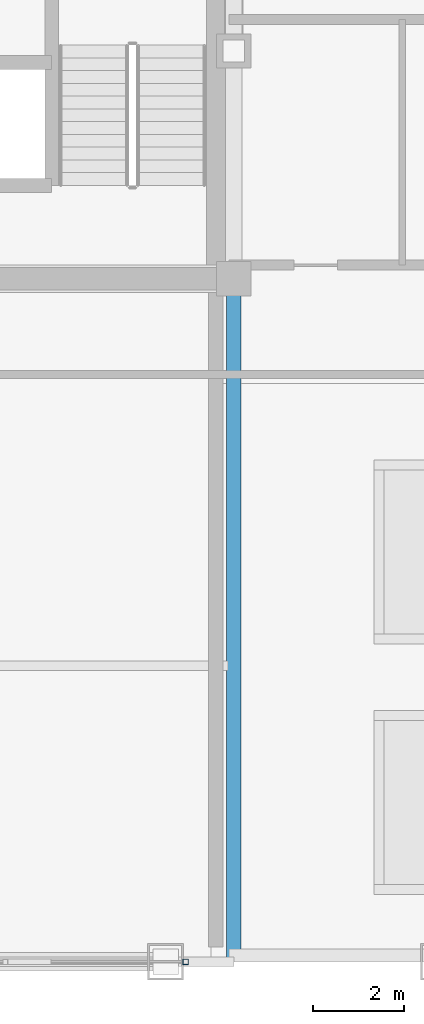
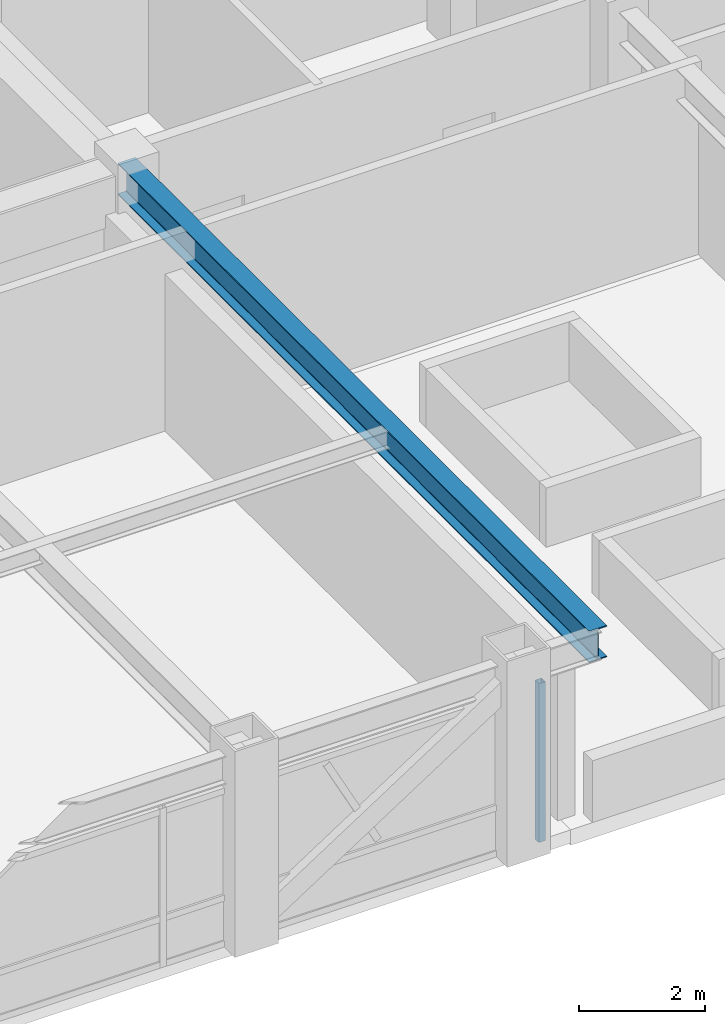
# One storey, part 4 of 29: 1 beam, 1 member, 1 element without a shape of its own.
"""IFC4 building model written with IfcOpenShell, lengths in metres."""

from ifc_helpers import new_model, si_unit, direction, frame, origin, origin_2d, place, context, subcontext, project, spatial, hollow_rectangle, i_section, extrude, source, transform, mapped, material, material_profile, profile_set, type_object, element, aggregate, save


model = new_model("IFC4")

# Units and contexts
model_context = context("Model", 3, precision=1e-05, world=origin(), true_north=direction((0.0, 1.0)))
body_context = subcontext(model_context, "Body", "Model", "MODEL_VIEW")
ifc_project = project(units=[si_unit("LENGTHUNIT", "METRE"), si_unit("AREAUNIT", "SQUARE_METRE"), si_unit("VOLUMEUNIT", "CUBIC_METRE"), si_unit("PLANEANGLEUNIT", "RADIAN"), si_unit("MASSUNIT", "GRAM", prefix="KILO")], contexts=[model_context])

# Site, building, storey
site_placement = place(None, origin())
site = spatial("IfcSite", under=ifc_project, at=site_placement, CompositionType="ELEMENT")
building_placement = place(site_placement, origin())
building = spatial("IfcBuilding", under=site, at=building_placement, Name="Khorayat Bourse Tower", CompositionType="ELEMENT")
storey_placement = place(building_placement, frame((0.0, 0.0, 346.300048828125)))
storey = spatial("IfcBuildingStorey", under=building, at=storey_placement, Name="L82", CompositionType="ELEMENT", Elevation=346.300048828125)

# Beam
ifc_material_1 = material(Name="Steel ASTM A992 Grade 50", Category="steel")
ifc_material_profile_1 = material_profile(ifc_material_1, i_section(OverallWidth=0.324951171875, OverallDepth=0.615966796875, WebThickness=0.013916015625, FlangeThickness=0.021484375, FilletRadius=0.01611328125, at=origin_2d()), Name="W610X174")
ifc_profile_set_1 = profile_set([ifc_material_profile_1], Name="Steel ASTM A992 Grade 50")
beam_type = type_object("IfcBeamType", Name="BM-GIRD-610", PredefinedType="BEAM", material=ifc_profile_set_1)
shared_shape_1 = source(origin(), body_context, "Body", "SweptSolid", [
    extrude(i_section(OverallWidth=0.324951171875, OverallDepth=0.615966796875, WebThickness=0.013916015625, FlangeThickness=0.021484375, FilletRadius=0.01611328125, at=origin_2d()), origin(), (0.0, 0.0, 1.0), 15.0),
])
beam_placement = place(storey_placement, frame((-4.5, -26.0, 3.431884765625), z_axis=(0.0, 1.0, 0.0), x_axis=(-1.0, 0.0, 0.0)))
element("IfcBeam", 1, at=beam_placement, inside=storey, type_object=beam_type, Name="L82 BM-GIRD-610 BM-L82-RADY-056", PredefinedType="BEAM", context=body_context, shape_type="MappedRepresentation", body=[
    mapped(shared_shape_1, transform((0.0, 0.0, 0.0), scale=1.0)),
])

# Curtain wall, member
ifc_material_2 = material(Name="Aluminium EN AW-6063 T6", Category="aluminium")
curtain_wall_type = type_object("IfcCurtainWallType", Name="CW-SYS-06", PredefinedType="NOTDEFINED", material=ifc_material_2)
curtain_wall_placement = place(storey_placement, origin())
curtain_wall = element("IfcCurtainWall", 2, at=curtain_wall_placement, inside=storey, type_object=curtain_wall_type, Name="L82 Curtain Wall CW-L82-S1", PredefinedType="NOTDEFINED")
ifc_material_profile_2 = material_profile(ifc_material_2, hollow_rectangle(XDim=0.1201171875, YDim=0.1201171875, WallThickness=0.0048828125, at=origin_2d()), Name="ALU 120x120x5")
ifc_profile_set_2 = profile_set([ifc_material_profile_2], Name="Aluminium EN AW-6063 T6")
member_type = type_object("IfcMemberType", Name="CWM-VERT-120", PredefinedType="MULLION", material=ifc_profile_set_2)
shared_shape_2 = source(origin(), body_context, "Body", "SweptSolid", [
    extrude(hollow_rectangle(XDim=0.1201171875, YDim=0.1201171875, WallThickness=0.0048828125, at=origin_2d()), origin(), (0.0, 0.0, 1.0), 3.08984375),
])
member_placement = place(storey_placement, frame((-5.56005859375, -26.0, 0.0), z_axis=(0.0, 0.0, 1.0), x_axis=(0.0, 1.0, 0.0)))
member = element("IfcMember", 3, at=member_placement, type_object=member_type, Name="CW-L82-S1 Vertical Mullion 3", PredefinedType="MULLION", context=body_context, shape_type="MappedRepresentation", body=[
    mapped(shared_shape_2, transform((0.0, 0.0, 0.0), scale=1.0)),
])
aggregate(curtain_wall, [member])

save(model, "model.ifc")
